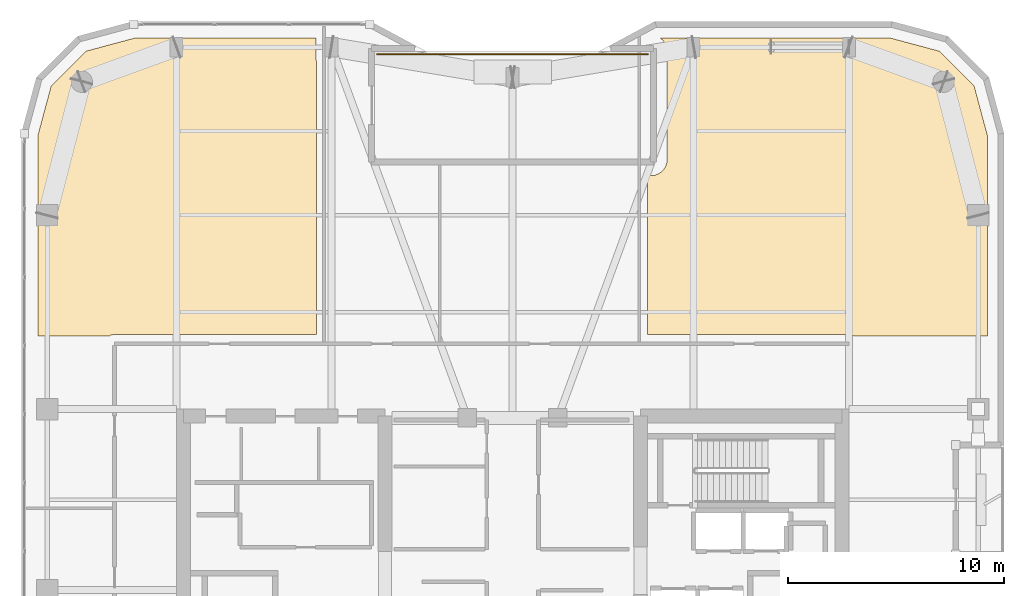
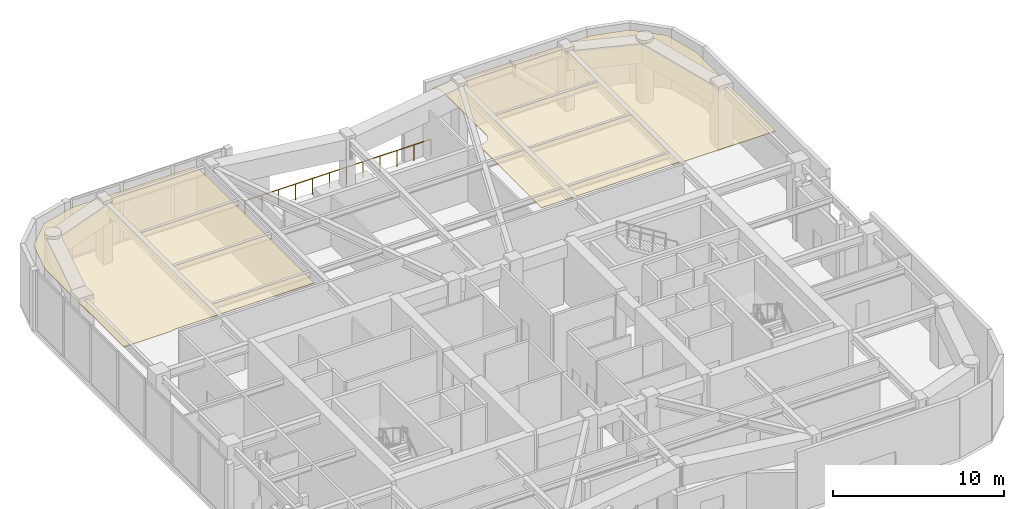
# One storey, part 19 of 19: 2 coverings, 1 railing.
"""IFC4 building model written with IfcOpenShell, lengths in metres."""

from ifc_helpers import new_model, si_unit, direction, frame, origin, origin_2d, place, context, subcontext, project, spatial, polyline, rectangle, outline, extrude, material, layer, layer_set, type_object, element, save


model = new_model("IFC4")

# Units and contexts
model_context = context("Model", 3, precision=1e-05, world=origin(), true_north=direction((0.0, 1.0)))
body_context = subcontext(model_context, "Body", "Model", "MODEL_VIEW")
ifc_project = project(units=[si_unit("LENGTHUNIT", "METRE"), si_unit("AREAUNIT", "SQUARE_METRE"), si_unit("VOLUMEUNIT", "CUBIC_METRE"), si_unit("PLANEANGLEUNIT", "RADIAN"), si_unit("MASSUNIT", "GRAM", prefix="KILO")], contexts=[model_context])

# Site, building, storey
site_placement = place(None, origin())
site = spatial("IfcSite", under=ifc_project, at=site_placement, CompositionType="ELEMENT")
building_placement = place(site_placement, origin())
building = spatial("IfcBuilding", under=site, at=building_placement, Name="Kiyonajd Concourse Tower", CompositionType="ELEMENT")
storey_placement = place(building_placement, frame((0.0, 0.0, 238.800048828125)))
storey = spatial("IfcBuildingStorey", under=building, at=storey_placement, Name="L60", CompositionType="ELEMENT", Elevation=238.800048828125)

# Coverings
ifc_material_1 = material(Name="Natural Oak Acoustic Timber Veneer", Category="wood")
ifc_layer = layer(ifc_material_1, 0.0400390625)
ifc_layer_set = layer_set([ifc_layer], Name="Natural Oak Acoustic Timber Veneer")
covering_type = type_object("IfcCoveringType", Name="CV-CLG-ACST", PredefinedType="CEILING", material=ifc_layer_set)
covering_1_placement = place(storey_placement, frame((0.0, 0.0, 4.099853515625)))
element("IfcCovering", 1, at=covering_1_placement, inside=storey, type_object=covering_type, Name="L60-38 Room Acoustic Ceiling", PredefinedType="CEILING", context=body_context, shape_type="SweptSolid", body=[
    extrude(outline(polyline([(28.197998046875, 61.011962890625), (30.5009765625, 61.6298828125), (38.8701171875, 61.6298828125), (38.8701171875, 60.669921875), (38.876953125, 60.60205078125), (38.89990234375, 60.529052734375), (38.89990234375, 47.8701171875), (29.52490234375, 47.8701171875), (29.39501953125, 47.85009765625), (29.33203125, 47.823974609375), (29.277099609375, 47.7900390625), (25.969970703125, 47.7900390625), (25.969970703125, 57.09912109375), (26.587890625, 59.402099609375), (28.197998046875, 61.011962890625)])), origin(), (0.0, 0.0, 1.0), 0.0400390625),
])
covering_2_placement = place(storey_placement, frame((0.0, 0.0, 4.099853515625)))
element("IfcCovering", 2, at=covering_2_placement, inside=storey, type_object=covering_type, Name="L60-41 Room Acoustic Ceiling", PredefinedType="CEILING", context=body_context, shape_type="SweptSolid", body=[
    extrude(outline(polyline([(54.839111328125, 61.6298828125), (65.4990234375, 61.6298828125), (67.802001953125, 61.011962890625), (69.412109375, 59.402099609375), (70.030029296875, 57.09912109375), (70.030029296875, 47.7900390625), (63.847900390625, 47.7900390625), (63.79296875, 47.823974609375), (63.72998046875, 47.85009765625), (63.60009765625, 47.8701171875), (54.25, 47.8701171875), (54.25, 55.23095703125), (54.491943359375, 55.236083984375), (54.60693359375, 55.258056640625), (54.72802734375, 55.303955078125), (54.839111328125, 55.367919921875), (54.90087890625, 55.4150390625), (55.008056640625, 55.528076171875), (55.056884765625, 55.60009765625), (55.10791015625, 55.696044921875), (55.152099609375, 55.8330078125), (55.169921875, 55.98291015625), (55.16796875, 61.041015625), (55.157958984375, 61.133056640625), (55.131103515625, 61.239990234375), (55.10791015625, 61.303955078125), (55.056884765625, 61.39990234375), (54.95703125, 61.531982421875), (54.839111328125, 61.6298828125)])), origin(), (0.0, 0.0, 1.0), 0.0400390625),
])

# Railing
ifc_material_2 = material(Name="Thermally Broken Anodised Aluminium", Category="aluminium")
railing_type = type_object("IfcRailingType", Name="RL-GRD-SKY", PredefinedType="GUARDRAIL", material=ifc_material_2)
railing_placement = place(storey_placement, frame((41.719970703125, 60.8798828125, 0.0)))
element("IfcRailing", 3, at=railing_placement, inside=storey, type_object=railing_type, Name="L60 North Oasis Sky Garden Wind Baffle Guard", PredefinedType="GUARDRAIL", context=body_context, shape_type="SweptSolid", body=[
    extrude(rectangle(XDim=0.048095703125, YDim=0.048095703125, at=origin_2d()), frame((0.0, 0.0, 1.1259765625), z_axis=(1.0, 0.0, 0.0), x_axis=(0.0, 1.0, 0.0)), (0.0, 0.0, 1.0), 12.56005859375),
    extrude(rectangle(XDim=0.0419921875, YDim=0.0419921875, at=origin_2d()), origin(), (0.0, 0.0, 1.0), 1.101806640625),
    extrude(rectangle(XDim=0.0419921875, YDim=0.0419921875, at=origin_2d()), frame((1.141845703125, 0.0, 0.0)), (0.0, 0.0, 1.0), 1.101806640625),
    extrude(rectangle(XDim=0.0419921875, YDim=0.0419921875, at=origin_2d()), frame((2.28369140625, 0.0, 0.0)), (0.0, 0.0, 1.0), 1.101806640625),
    extrude(rectangle(XDim=0.0419921875, YDim=0.0419921875, at=origin_2d()), frame((3.425537109375, 0.0, 0.0)), (0.0, 0.0, 1.0), 1.101806640625),
    extrude(rectangle(XDim=0.0419921875, YDim=0.0419921875, at=origin_2d()), frame((4.5673828125, 0.0, 0.0)), (0.0, 0.0, 1.0), 1.101806640625),
    extrude(rectangle(XDim=0.0419921875, YDim=0.0419921875, at=origin_2d()), frame((5.709228515625, 0.0, 0.0)), (0.0, 0.0, 1.0), 1.101806640625),
    extrude(rectangle(XDim=0.0419921875, YDim=0.0419921875, at=origin_2d()), frame((6.850830078125, 0.0, 0.0)), (0.0, 0.0, 1.0), 1.101806640625),
    extrude(rectangle(XDim=0.0419921875, YDim=0.0419921875, at=origin_2d()), frame((7.99267578125, 0.0, 0.0)), (0.0, 0.0, 1.0), 1.101806640625),
    extrude(rectangle(XDim=0.0419921875, YDim=0.0419921875, at=origin_2d()), frame((9.134521484375, 0.0, 0.0)), (0.0, 0.0, 1.0), 1.101806640625),
    extrude(rectangle(XDim=0.0419921875, YDim=0.0419921875, at=origin_2d()), frame((10.2763671875, 0.0, 0.0)), (0.0, 0.0, 1.0), 1.101806640625),
    extrude(rectangle(XDim=0.0419921875, YDim=0.0419921875, at=origin_2d()), frame((11.418212890625, 0.0, 0.0)), (0.0, 0.0, 1.0), 1.101806640625),
    extrude(rectangle(XDim=0.0419921875, YDim=0.0419921875, at=origin_2d()), frame((12.56005859375, 0.0, 0.0)), (0.0, 0.0, 1.0), 1.101806640625),
])

save(model, "model.ifc")
